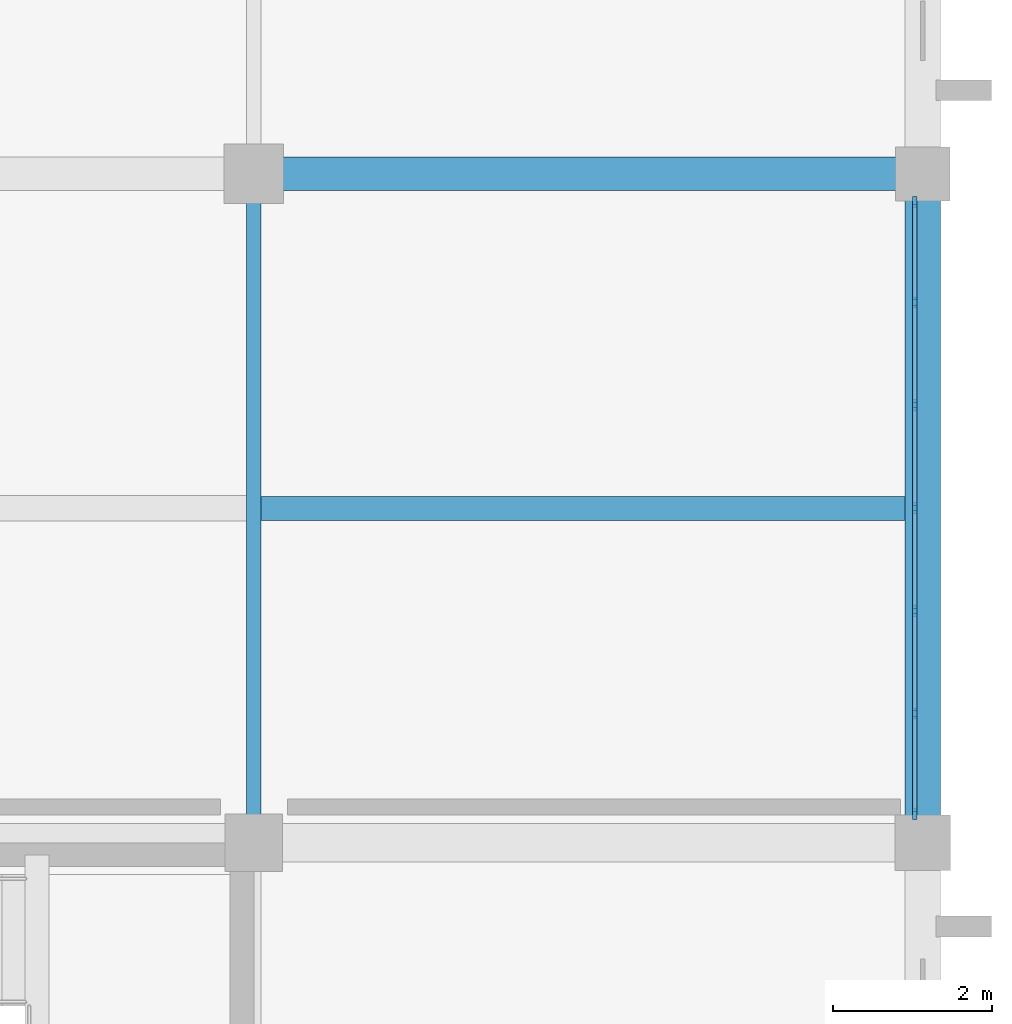
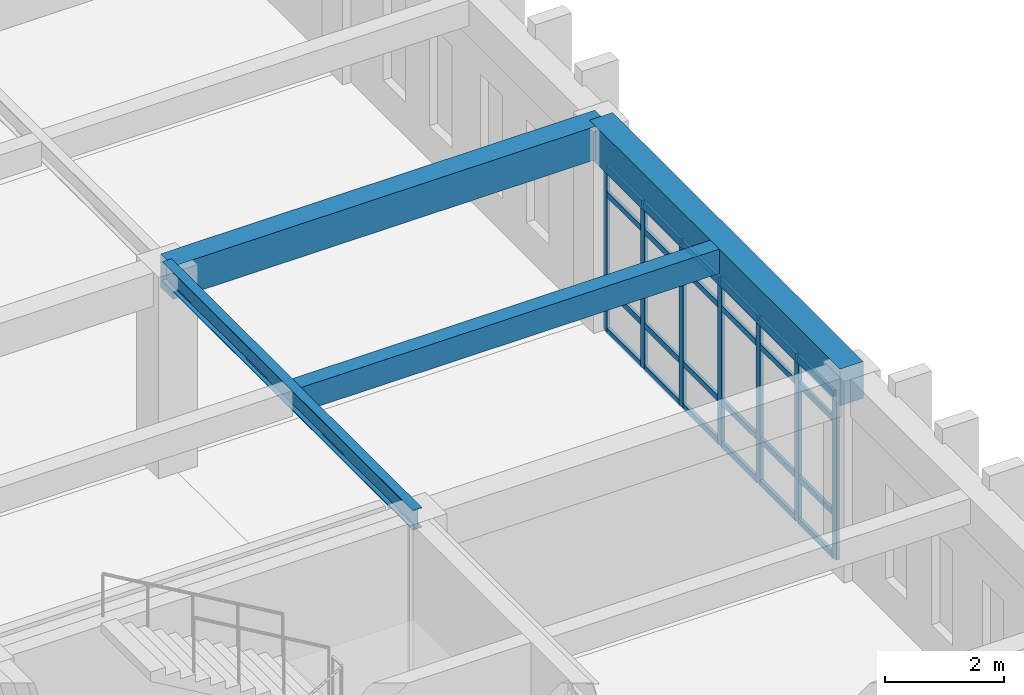
# One storey, part 107 of 192: 31 members, 4 beams, 1 element without a shape of its own.
"""IFC4 building model written with IfcOpenShell, lengths in metres."""

from ifc_helpers import new_model, si_unit, direction, frame, origin, origin_2d, place, context, subcontext, project, spatial, rectangle, i_section, extrude, material, layer, layer_set, material_profile, profile_set, type_object, element, aggregate, save


model = new_model("IFC4")

# Units and contexts
model_context = context("Model", 3, precision=1e-05, world=origin(), true_north=direction((0.0, 1.0)))
body_context = subcontext(model_context, "Body", "Model", "MODEL_VIEW")
ifc_project = project(units=[si_unit("LENGTHUNIT", "METRE"), si_unit("AREAUNIT", "SQUARE_METRE"), si_unit("VOLUMEUNIT", "CUBIC_METRE"), si_unit("PLANEANGLEUNIT", "RADIAN"), si_unit("MASSUNIT", "GRAM", prefix="KILO")], contexts=[model_context])

# Site, building, storey
site_placement = place(None, origin())
site = spatial("IfcSite", under=ifc_project, at=site_placement, CompositionType="ELEMENT")
building_placement = place(site_placement, origin())
building = spatial("IfcBuilding", under=site, at=building_placement, Name="Kveldsbrygga Polytechnic", CompositionType="ELEMENT")
storey_placement = place(building_placement, frame((0.0, 0.0, 5.43994140625)))
storey = spatial("IfcBuildingStorey", under=building, at=storey_placement, Name="L01", CompositionType="ELEMENT", Elevation=5.43994140625)

# Beams
ifc_material_1 = material(Name="Concrete C35/45", Category="concrete")
ifc_material_profile_1 = material_profile(ifc_material_1, rectangle(XDim=0.419921875, YDim=0.679931640625, at=origin_2d()), Name="RC 420x680")
ifc_profile_set_1 = profile_set([ifc_material_profile_1], Name="Concrete C35/45")
beam_type_1 = type_object("IfcBeamType", Name="BM-RC-420x680", PredefinedType="BEAM", material=ifc_profile_set_1)
beam_1_placement = place(storey_placement, frame((159.60009765625, 92.39990234375, 3.780029296875), z_axis=(1.0, 0.0, 0.0), x_axis=(0.0, 1.0, 0.0)))
element("IfcBeam", 1, at=beam_1_placement, inside=storey, type_object=beam_type_1, Name="Primary Beam BMX-L01-19to20-11", PredefinedType="BEAM", context=body_context, shape_type="SweptSolid", body=[
    extrude(rectangle(XDim=0.419921875, YDim=0.679931640625, at=origin_2d()), origin(), (0.0, 0.0, 1.0), 8.39990234375),
])
ifc_material_profile_2 = material_profile(ifc_material_1, rectangle(XDim=0.449951171875, YDim=0.75, at=origin_2d()), Name="RC 450x750")
ifc_profile_set_2 = profile_set([ifc_material_profile_2], Name="Concrete C35/45")
beam_type_2 = type_object("IfcBeamType", Name="BM-RC-450x750", PredefinedType="BEAM", material=ifc_profile_set_2)
beam_2_placement = place(storey_placement, frame((168.0, 84.0, 3.7451171875), z_axis=(0.0, 1.0, 0.0), x_axis=(-1.0, 0.0, 0.0)))
element("IfcBeam", 2, at=beam_2_placement, inside=storey, type_object=beam_type_2, Name="Primary Beam BMY-L01-20-10to11", PredefinedType="BEAM", context=body_context, shape_type="SweptSolid", body=[
    extrude(rectangle(XDim=0.449951171875, YDim=0.75, at=origin_2d()), origin(), (0.0, 0.0, 1.0), 8.39990234375),
])
ifc_material_2 = material(Name="Steel S355", Category="steel")
ifc_material_profile_3 = material_profile(ifc_material_2, i_section(OverallWidth=0.179931640625, OverallDepth=0.39990234375, WebThickness=0.008544921875, FlangeThickness=0.013427734375, FilletRadius=0.02099609375, at=origin_2d()), Name="IPE 400")
ifc_profile_set_3 = profile_set([ifc_material_profile_3], Name="Steel S355")
beam_type_3 = type_object("IfcBeamType", Name="BM-STL-IPE400", PredefinedType="BEAM", material=ifc_profile_set_3)
beam_3_placement = place(storey_placement, frame((159.60009765625, 84.0, 3.920166015625), z_axis=(0.0, 1.0, 0.0), x_axis=(-1.0, 0.0, 0.0)))
element("IfcBeam", 3, at=beam_3_placement, inside=storey, type_object=beam_type_3, Name="Primary Beam BMY-L01-19-10to11", PredefinedType="BEAM", context=body_context, shape_type="SweptSolid", body=[
    extrude(i_section(OverallWidth=0.179931640625, OverallDepth=0.39990234375, WebThickness=0.008544921875, FlangeThickness=0.013427734375, FilletRadius=0.02099609375, at=origin_2d()), origin(), (0.0, 0.0, 1.0), 8.39990234375),
])

# Curtain wall, members
ifc_material_3 = material(Name="Anodised aluminium AW-6060", Category="aluminium")
ifc_layer = layer(ifc_material_3, 0.179931640625)
ifc_layer_set = layer_set([ifc_layer], Name="Anodised aluminium AW-6060")
curtain_wall_type = type_object("IfcCurtainWallType", Name="CW-CONC-A", PredefinedType="USERDEFINED", material=ifc_layer_set)
curtain_wall_placement = place(storey_placement, origin())
curtain_wall = element("IfcCurtainWall", 4, at=curtain_wall_placement, inside=storey, type_object=curtain_wall_type, Name="Curtain Wall CW-L01-Y-20-10", ObjectType="UNITISED CURTAIN WALL", PredefinedType="USERDEFINED")
ifc_material_profile_4 = material_profile(ifc_material_3, rectangle(XDim=0.06005859375, YDim=0.139892578125, at=origin_2d()), Name="ALU 60x140")
ifc_profile_set_4 = profile_set([ifc_material_profile_4], Name="Anodised aluminium AW-6060")
member_type_1 = type_object("IfcMemberType", Name="CW-MUL-140", PredefinedType="MULLION", material=ifc_profile_set_4)
member_1_placement = place(storey_placement, frame((167.89990234375, 84.364990234375, 0.0), z_axis=(0.0, 0.0, 1.0), x_axis=(-1.0, 0.0, 0.0)))
member_1 = element("IfcMember", 5, at=member_1_placement, type_object=member_type_1, Name="CW-01 mullion 1", PredefinedType="MULLION", context=body_context, shape_type="SweptSolid", body=[
    extrude(rectangle(XDim=0.06005859375, YDim=0.139892578125, at=origin_2d()), origin(), (0.0, 0.0, 1.0), 3.3701171875),
])
member_2_placement = place(storey_placement, frame((167.89990234375, 85.625, 0.0), z_axis=(0.0, 0.0, 1.0), x_axis=(-1.0, 0.0, 0.0)))
member_2 = element("IfcMember", 6, at=member_2_placement, type_object=member_type_1, Name="CW-01 mullion 2", PredefinedType="MULLION", context=body_context, shape_type="SweptSolid", body=[
    extrude(rectangle(XDim=0.06005859375, YDim=0.139892578125, at=origin_2d()), origin(), (0.0, 0.0, 1.0), 3.3701171875),
])
member_3_placement = place(storey_placement, frame((167.89990234375, 86.9150390625, 0.0), z_axis=(0.0, 0.0, 1.0), x_axis=(-1.0, 0.0, 0.0)))
member_3 = element("IfcMember", 7, at=member_3_placement, type_object=member_type_1, Name="CW-01 mullion 3", PredefinedType="MULLION", context=body_context, shape_type="SweptSolid", body=[
    extrude(rectangle(XDim=0.06005859375, YDim=0.139892578125, at=origin_2d()), origin(), (0.0, 0.0, 1.0), 3.3701171875),
])
member_4_placement = place(storey_placement, frame((167.89990234375, 88.205078125, 0.0), z_axis=(0.0, 0.0, 1.0), x_axis=(-1.0, 0.0, 0.0)))
member_4 = element("IfcMember", 8, at=member_4_placement, type_object=member_type_1, Name="CW-01 mullion 4", PredefinedType="MULLION", context=body_context, shape_type="SweptSolid", body=[
    extrude(rectangle(XDim=0.06005859375, YDim=0.139892578125, at=origin_2d()), origin(), (0.0, 0.0, 1.0), 3.3701171875),
])
member_5_placement = place(storey_placement, frame((167.89990234375, 89.4951171875, 0.0), z_axis=(0.0, 0.0, 1.0), x_axis=(-1.0, 0.0, 0.0)))
member_5 = element("IfcMember", 9, at=member_5_placement, type_object=member_type_1, Name="CW-01 mullion 5", PredefinedType="MULLION", context=body_context, shape_type="SweptSolid", body=[
    extrude(rectangle(XDim=0.06005859375, YDim=0.139892578125, at=origin_2d()), origin(), (0.0, 0.0, 1.0), 3.3701171875),
])
member_6_placement = place(storey_placement, frame((167.89990234375, 90.784912109375, 0.0), z_axis=(0.0, 0.0, 1.0), x_axis=(-1.0, 0.0, 0.0)))
member_6 = element("IfcMember", 10, at=member_6_placement, type_object=member_type_1, Name="CW-01 mullion 6", PredefinedType="MULLION", context=body_context, shape_type="SweptSolid", body=[
    extrude(rectangle(XDim=0.06005859375, YDim=0.139892578125, at=origin_2d()), origin(), (0.0, 0.0, 1.0), 3.3701171875),
])
member_7_placement = place(storey_placement, frame((167.89990234375, 92.044921875, 0.0), z_axis=(0.0, 0.0, 1.0), x_axis=(-1.0, 0.0, 0.0)))
member_7 = element("IfcMember", 11, at=member_7_placement, type_object=member_type_1, Name="CW-01 mullion 7", PredefinedType="MULLION", context=body_context, shape_type="SweptSolid", body=[
    extrude(rectangle(XDim=0.06005859375, YDim=0.139892578125, at=origin_2d()), origin(), (0.0, 0.0, 1.0), 3.3701171875),
])
ifc_material_profile_5 = material_profile(ifc_material_3, rectangle(XDim=0.06005859375, YDim=0.1201171875, at=origin_2d()), Name="ALU 60x120")
ifc_profile_set_5 = profile_set([ifc_material_profile_5], Name="Anodised aluminium AW-6060")
member_type_2 = type_object("IfcMemberType", Name="CW-TRN-120", PredefinedType="USERDEFINED", material=ifc_profile_set_5)
member_8_placement = place(storey_placement, frame((167.89990234375, 84.39501953125, 0.030029296875), z_axis=(0.0, 1.0, 0.0), x_axis=(-1.0, 0.0, 0.0)))
member_8 = element("IfcMember", 12, at=member_8_placement, type_object=member_type_2, Name="CW-01 transom 1.1", ObjectType="TRANSOM", PredefinedType="USERDEFINED", context=body_context, shape_type="SweptSolid", body=[
    extrude(rectangle(XDim=0.06005859375, YDim=0.1201171875, at=origin_2d()), origin(), (0.0, 0.0, 1.0), 1.199951171875),
])
member_9_placement = place(storey_placement, frame((167.89990234375, 84.39501953125, 0.900146484375), z_axis=(0.0, 1.0, 0.0), x_axis=(-1.0, 0.0, 0.0)))
member_9 = element("IfcMember", 13, at=member_9_placement, type_object=member_type_2, Name="CW-01 transom 1.2", ObjectType="TRANSOM", PredefinedType="USERDEFINED", context=body_context, shape_type="SweptSolid", body=[
    extrude(rectangle(XDim=0.06005859375, YDim=0.1201171875, at=origin_2d()), origin(), (0.0, 0.0, 1.0), 1.199951171875),
])
member_10_placement = place(storey_placement, frame((167.89990234375, 84.39501953125, 2.820068359375), z_axis=(0.0, 1.0, 0.0), x_axis=(-1.0, 0.0, 0.0)))
member_10 = element("IfcMember", 14, at=member_10_placement, type_object=member_type_2, Name="CW-01 transom 1.3", ObjectType="TRANSOM", PredefinedType="USERDEFINED", context=body_context, shape_type="SweptSolid", body=[
    extrude(rectangle(XDim=0.06005859375, YDim=0.1201171875, at=origin_2d()), origin(), (0.0, 0.0, 1.0), 1.199951171875),
])
member_11_placement = place(storey_placement, frame((167.89990234375, 84.39501953125, 3.340087890625), z_axis=(0.0, 1.0, 0.0), x_axis=(-1.0, 0.0, 0.0)))
member_11 = element("IfcMember", 15, at=member_11_placement, type_object=member_type_2, Name="CW-01 transom 1.4", ObjectType="TRANSOM", PredefinedType="USERDEFINED", context=body_context, shape_type="SweptSolid", body=[
    extrude(rectangle(XDim=0.06005859375, YDim=0.1201171875, at=origin_2d()), origin(), (0.0, 0.0, 1.0), 1.199951171875),
])
member_12_placement = place(storey_placement, frame((167.89990234375, 85.655029296875, 0.030029296875), z_axis=(0.0, 1.0, 0.0), x_axis=(-1.0, 0.0, 0.0)))
member_12 = element("IfcMember", 16, at=member_12_placement, type_object=member_type_2, Name="CW-01 transom 2.1", ObjectType="TRANSOM", PredefinedType="USERDEFINED", context=body_context, shape_type="SweptSolid", body=[
    extrude(rectangle(XDim=0.06005859375, YDim=0.1201171875, at=origin_2d()), origin(), (0.0, 0.0, 1.0), 1.22998046875),
])
member_13_placement = place(storey_placement, frame((167.89990234375, 85.655029296875, 0.900146484375), z_axis=(0.0, 1.0, 0.0), x_axis=(-1.0, 0.0, 0.0)))
member_13 = element("IfcMember", 17, at=member_13_placement, type_object=member_type_2, Name="CW-01 transom 2.2", ObjectType="TRANSOM", PredefinedType="USERDEFINED", context=body_context, shape_type="SweptSolid", body=[
    extrude(rectangle(XDim=0.06005859375, YDim=0.1201171875, at=origin_2d()), origin(), (0.0, 0.0, 1.0), 1.22998046875),
])
member_14_placement = place(storey_placement, frame((167.89990234375, 85.655029296875, 2.820068359375), z_axis=(0.0, 1.0, 0.0), x_axis=(-1.0, 0.0, 0.0)))
member_14 = element("IfcMember", 18, at=member_14_placement, type_object=member_type_2, Name="CW-01 transom 2.3", ObjectType="TRANSOM", PredefinedType="USERDEFINED", context=body_context, shape_type="SweptSolid", body=[
    extrude(rectangle(XDim=0.06005859375, YDim=0.1201171875, at=origin_2d()), origin(), (0.0, 0.0, 1.0), 1.22998046875),
])
member_15_placement = place(storey_placement, frame((167.89990234375, 85.655029296875, 3.340087890625), z_axis=(0.0, 1.0, 0.0), x_axis=(-1.0, 0.0, 0.0)))
member_15 = element("IfcMember", 19, at=member_15_placement, type_object=member_type_2, Name="CW-01 transom 2.4", ObjectType="TRANSOM", PredefinedType="USERDEFINED", context=body_context, shape_type="SweptSolid", body=[
    extrude(rectangle(XDim=0.06005859375, YDim=0.1201171875, at=origin_2d()), origin(), (0.0, 0.0, 1.0), 1.22998046875),
])
member_16_placement = place(storey_placement, frame((167.89990234375, 86.945068359375, 0.030029296875), z_axis=(0.0, 1.0, 0.0), x_axis=(-1.0, 0.0, 0.0)))
member_16 = element("IfcMember", 20, at=member_16_placement, type_object=member_type_2, Name="CW-01 transom 3.1", ObjectType="TRANSOM", PredefinedType="USERDEFINED", context=body_context, shape_type="SweptSolid", body=[
    extrude(rectangle(XDim=0.06005859375, YDim=0.1201171875, at=origin_2d()), origin(), (0.0, 0.0, 1.0), 1.22998046875),
])
member_17_placement = place(storey_placement, frame((167.89990234375, 86.945068359375, 0.900146484375), z_axis=(0.0, 1.0, 0.0), x_axis=(-1.0, 0.0, 0.0)))
member_17 = element("IfcMember", 21, at=member_17_placement, type_object=member_type_2, Name="CW-01 transom 3.2", ObjectType="TRANSOM", PredefinedType="USERDEFINED", context=body_context, shape_type="SweptSolid", body=[
    extrude(rectangle(XDim=0.06005859375, YDim=0.1201171875, at=origin_2d()), origin(), (0.0, 0.0, 1.0), 1.22998046875),
])
member_18_placement = place(storey_placement, frame((167.89990234375, 86.945068359375, 2.820068359375), z_axis=(0.0, 1.0, 0.0), x_axis=(-1.0, 0.0, 0.0)))
member_18 = element("IfcMember", 22, at=member_18_placement, type_object=member_type_2, Name="CW-01 transom 3.3", ObjectType="TRANSOM", PredefinedType="USERDEFINED", context=body_context, shape_type="SweptSolid", body=[
    extrude(rectangle(XDim=0.06005859375, YDim=0.1201171875, at=origin_2d()), origin(), (0.0, 0.0, 1.0), 1.22998046875),
])
member_19_placement = place(storey_placement, frame((167.89990234375, 86.945068359375, 3.340087890625), z_axis=(0.0, 1.0, 0.0), x_axis=(-1.0, 0.0, 0.0)))
member_19 = element("IfcMember", 23, at=member_19_placement, type_object=member_type_2, Name="CW-01 transom 3.4", ObjectType="TRANSOM", PredefinedType="USERDEFINED", context=body_context, shape_type="SweptSolid", body=[
    extrude(rectangle(XDim=0.06005859375, YDim=0.1201171875, at=origin_2d()), origin(), (0.0, 0.0, 1.0), 1.22998046875),
])
member_20_placement = place(storey_placement, frame((167.89990234375, 88.235107421875, 0.030029296875), z_axis=(0.0, 1.0, 0.0), x_axis=(-1.0, 0.0, 0.0)))
member_20 = element("IfcMember", 24, at=member_20_placement, type_object=member_type_2, Name="CW-01 transom 4.1", ObjectType="TRANSOM", PredefinedType="USERDEFINED", context=body_context, shape_type="SweptSolid", body=[
    extrude(rectangle(XDim=0.06005859375, YDim=0.1201171875, at=origin_2d()), origin(), (0.0, 0.0, 1.0), 1.22998046875),
])
member_21_placement = place(storey_placement, frame((167.89990234375, 88.235107421875, 0.900146484375), z_axis=(0.0, 1.0, 0.0), x_axis=(-1.0, 0.0, 0.0)))
member_21 = element("IfcMember", 25, at=member_21_placement, type_object=member_type_2, Name="CW-01 transom 4.2", ObjectType="TRANSOM", PredefinedType="USERDEFINED", context=body_context, shape_type="SweptSolid", body=[
    extrude(rectangle(XDim=0.06005859375, YDim=0.1201171875, at=origin_2d()), origin(), (0.0, 0.0, 1.0), 1.22998046875),
])
member_22_placement = place(storey_placement, frame((167.89990234375, 88.235107421875, 2.820068359375), z_axis=(0.0, 1.0, 0.0), x_axis=(-1.0, 0.0, 0.0)))
member_22 = element("IfcMember", 26, at=member_22_placement, type_object=member_type_2, Name="CW-01 transom 4.3", ObjectType="TRANSOM", PredefinedType="USERDEFINED", context=body_context, shape_type="SweptSolid", body=[
    extrude(rectangle(XDim=0.06005859375, YDim=0.1201171875, at=origin_2d()), origin(), (0.0, 0.0, 1.0), 1.22998046875),
])
member_23_placement = place(storey_placement, frame((167.89990234375, 88.235107421875, 3.340087890625), z_axis=(0.0, 1.0, 0.0), x_axis=(-1.0, 0.0, 0.0)))
member_23 = element("IfcMember", 27, at=member_23_placement, type_object=member_type_2, Name="CW-01 transom 4.4", ObjectType="TRANSOM", PredefinedType="USERDEFINED", context=body_context, shape_type="SweptSolid", body=[
    extrude(rectangle(XDim=0.06005859375, YDim=0.1201171875, at=origin_2d()), origin(), (0.0, 0.0, 1.0), 1.22998046875),
])
member_24_placement = place(storey_placement, frame((167.89990234375, 89.52490234375, 0.030029296875), z_axis=(0.0, 1.0, 0.0), x_axis=(-1.0, 0.0, 0.0)))
member_24 = element("IfcMember", 28, at=member_24_placement, type_object=member_type_2, Name="CW-01 transom 5.1", ObjectType="TRANSOM", PredefinedType="USERDEFINED", context=body_context, shape_type="SweptSolid", body=[
    extrude(rectangle(XDim=0.06005859375, YDim=0.1201171875, at=origin_2d()), origin(), (0.0, 0.0, 1.0), 1.22998046875),
])
member_25_placement = place(storey_placement, frame((167.89990234375, 89.52490234375, 0.900146484375), z_axis=(0.0, 1.0, 0.0), x_axis=(-1.0, 0.0, 0.0)))
member_25 = element("IfcMember", 29, at=member_25_placement, type_object=member_type_2, Name="CW-01 transom 5.2", ObjectType="TRANSOM", PredefinedType="USERDEFINED", context=body_context, shape_type="SweptSolid", body=[
    extrude(rectangle(XDim=0.06005859375, YDim=0.1201171875, at=origin_2d()), origin(), (0.0, 0.0, 1.0), 1.22998046875),
])
member_26_placement = place(storey_placement, frame((167.89990234375, 89.52490234375, 2.820068359375), z_axis=(0.0, 1.0, 0.0), x_axis=(-1.0, 0.0, 0.0)))
member_26 = element("IfcMember", 30, at=member_26_placement, type_object=member_type_2, Name="CW-01 transom 5.3", ObjectType="TRANSOM", PredefinedType="USERDEFINED", context=body_context, shape_type="SweptSolid", body=[
    extrude(rectangle(XDim=0.06005859375, YDim=0.1201171875, at=origin_2d()), origin(), (0.0, 0.0, 1.0), 1.22998046875),
])
member_27_placement = place(storey_placement, frame((167.89990234375, 89.52490234375, 3.340087890625), z_axis=(0.0, 1.0, 0.0), x_axis=(-1.0, 0.0, 0.0)))
member_27 = element("IfcMember", 31, at=member_27_placement, type_object=member_type_2, Name="CW-01 transom 5.4", ObjectType="TRANSOM", PredefinedType="USERDEFINED", context=body_context, shape_type="SweptSolid", body=[
    extrude(rectangle(XDim=0.06005859375, YDim=0.1201171875, at=origin_2d()), origin(), (0.0, 0.0, 1.0), 1.22998046875),
])
member_28_placement = place(storey_placement, frame((167.89990234375, 90.81494140625, 0.030029296875), z_axis=(0.0, 1.0, 0.0), x_axis=(-1.0, 0.0, 0.0)))
member_28 = element("IfcMember", 32, at=member_28_placement, type_object=member_type_2, Name="CW-01 transom 6.1", ObjectType="TRANSOM", PredefinedType="USERDEFINED", context=body_context, shape_type="SweptSolid", body=[
    extrude(rectangle(XDim=0.06005859375, YDim=0.1201171875, at=origin_2d()), origin(), (0.0, 0.0, 1.0), 1.199951171875),
])
member_29_placement = place(storey_placement, frame((167.89990234375, 90.81494140625, 0.900146484375), z_axis=(0.0, 1.0, 0.0), x_axis=(-1.0, 0.0, 0.0)))
member_29 = element("IfcMember", 33, at=member_29_placement, type_object=member_type_2, Name="CW-01 transom 6.2", ObjectType="TRANSOM", PredefinedType="USERDEFINED", context=body_context, shape_type="SweptSolid", body=[
    extrude(rectangle(XDim=0.06005859375, YDim=0.1201171875, at=origin_2d()), origin(), (0.0, 0.0, 1.0), 1.199951171875),
])
member_30_placement = place(storey_placement, frame((167.89990234375, 90.81494140625, 2.820068359375), z_axis=(0.0, 1.0, 0.0), x_axis=(-1.0, 0.0, 0.0)))
member_30 = element("IfcMember", 34, at=member_30_placement, type_object=member_type_2, Name="CW-01 transom 6.3", ObjectType="TRANSOM", PredefinedType="USERDEFINED", context=body_context, shape_type="SweptSolid", body=[
    extrude(rectangle(XDim=0.06005859375, YDim=0.1201171875, at=origin_2d()), origin(), (0.0, 0.0, 1.0), 1.199951171875),
])
member_31_placement = place(storey_placement, frame((167.89990234375, 90.81494140625, 3.340087890625), z_axis=(0.0, 1.0, 0.0), x_axis=(-1.0, 0.0, 0.0)))
member_31 = element("IfcMember", 35, at=member_31_placement, type_object=member_type_2, Name="CW-01 transom 6.4", ObjectType="TRANSOM", PredefinedType="USERDEFINED", context=body_context, shape_type="SweptSolid", body=[
    extrude(rectangle(XDim=0.06005859375, YDim=0.1201171875, at=origin_2d()), origin(), (0.0, 0.0, 1.0), 1.199951171875),
])
aggregate(curtain_wall, [member_1, member_2, member_3, member_4, member_5, member_6, member_7, member_8, member_9, member_10, member_11, member_12, member_13, member_14, member_15, member_16, member_17, member_18, member_19, member_20, member_21, member_22, member_23, member_24, member_25, member_26, member_27, member_28, member_29, member_30, member_31])

# Beam
ifc_material_profile_6 = material_profile(ifc_material_1, rectangle(XDim=0.300048828125, YDim=0.5, at=origin_2d()), Name="RC 300x500")
ifc_profile_set_6 = profile_set([ifc_material_profile_6], Name="Concrete C35/45")
beam_type_4 = type_object("IfcBeamType", Name="JST-RC-300x500", PredefinedType="JOIST", material=ifc_profile_set_6)
beam_4_placement = place(storey_placement, frame((159.68994140625, 88.199951171875, 3.8701171875), z_axis=(1.0, 0.0, 0.0), x_axis=(0.0, 1.0, 0.0)))
element("IfcBeam", 36, at=beam_4_placement, inside=storey, type_object=beam_type_4, Name="Secondary Joist JST-L01-19-10", PredefinedType="JOIST", context=body_context, shape_type="SweptSolid", body=[
    extrude(rectangle(XDim=0.300048828125, YDim=0.5, at=origin_2d()), origin(), (0.0, 0.0, 1.0), 8.0849609375),
])

save(model, "model.ifc")
